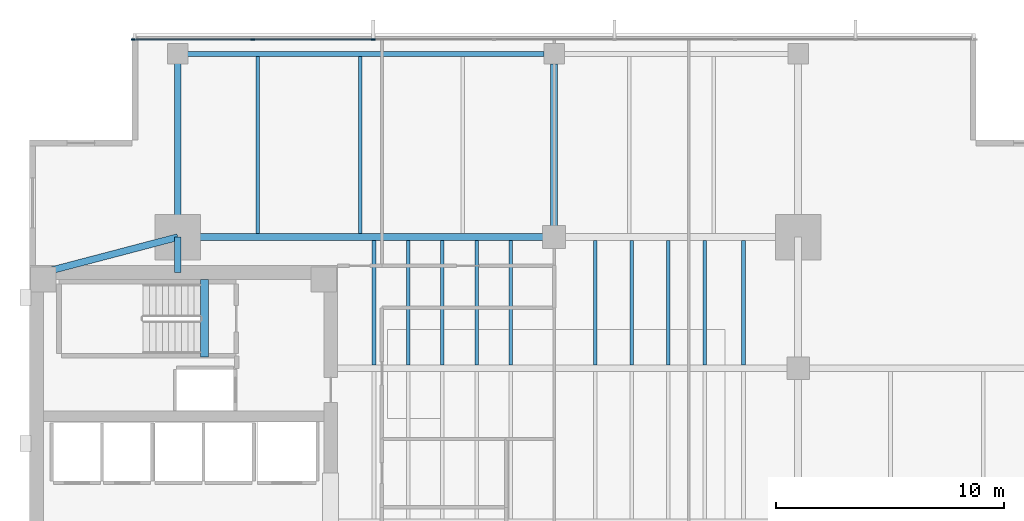
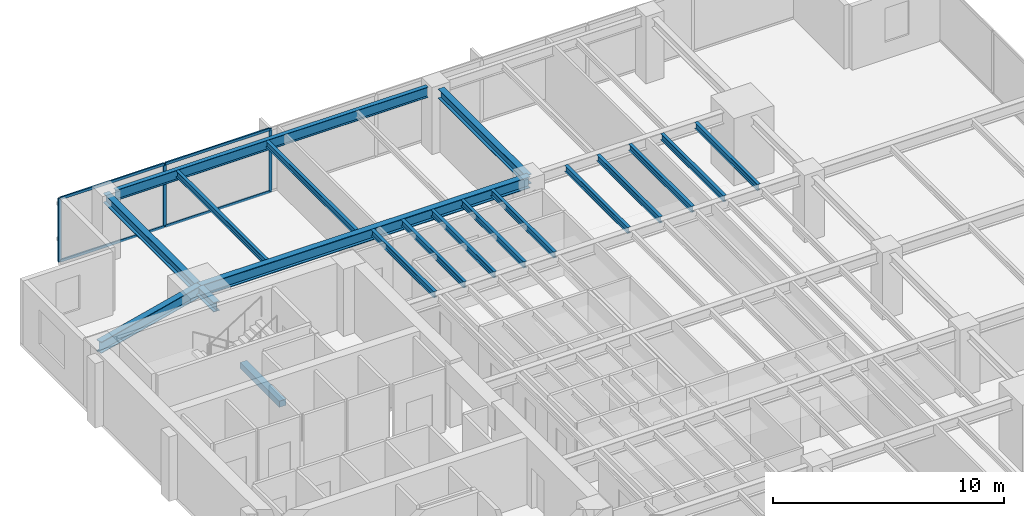
# One storey, part 5 of 14: 19 beams, 7 members, 1 element without a shape of its own.
"""IFC4 building model written with IfcOpenShell, lengths in metres."""

from ifc_helpers import new_model, si_unit, direction, frame, origin, origin_2d, place, context, subcontext, project, spatial, rectangle, i_section, extrude, material, layer, layer_set, material_profile, profile_set, type_object, element, aggregate, save


model = new_model("IFC4")

# Units and contexts
model_context = context("Model", 3, precision=1e-05, world=origin(), true_north=direction((0.0, 1.0)))
body_context = subcontext(model_context, "Body", "Model", "MODEL_VIEW")
ifc_project = project(units=[si_unit("LENGTHUNIT", "METRE"), si_unit("AREAUNIT", "SQUARE_METRE"), si_unit("VOLUMEUNIT", "CUBIC_METRE"), si_unit("PLANEANGLEUNIT", "RADIAN"), si_unit("MASSUNIT", "GRAM", prefix="KILO")], contexts=[model_context])

# Site, building, storey
site_placement = place(None, origin())
site = spatial("IfcSite", under=ifc_project, at=site_placement, CompositionType="ELEMENT")
building_placement = place(site_placement, origin())
building = spatial("IfcBuilding", under=site, at=building_placement, Name="Kinhvarn Gate Tower", CompositionType="ELEMENT")
storey_placement = place(building_placement, frame((0.0, 0.0, 141.300048828125)))
storey = spatial("IfcBuildingStorey", under=building, at=storey_placement, Name="L37", CompositionType="ELEMENT", Elevation=141.300048828125)

# Beam
ifc_material_1 = material(Name="Concrete C50/60", Category="concrete")
ifc_material_profile_1 = material_profile(ifc_material_1, rectangle(XDim=0.340087890625, YDim=0.320068359375, at=origin_2d()), Name="RC 340x320")
ifc_profile_set_1 = profile_set([ifc_material_profile_1], Name="Concrete C50/60")
beam_type_1 = type_object("IfcBeamType", Name="BM-LND-500", PredefinedType="BEAM", material=ifc_profile_set_1)
beam_1_placement = place(storey_placement, frame((12.1650390625, 32.5, -0.16015625), z_axis=(0.0, 1.0, 0.0), x_axis=(-1.0, 0.0, 0.0)))
element("IfcBeam", 1, at=beam_1_placement, inside=storey, type_object=beam_type_1, Name="Stair ST2 Landing Nosing Beam (L37)", PredefinedType="BEAM", context=body_context, shape_type="SweptSolid", body=[
    extrude(rectangle(XDim=0.340087890625, YDim=0.320068359375, at=origin_2d()), origin(), (0.0, 0.0, 1.0), 3.39990234375),
])

# Curtain wall, members
ifc_material_2 = material(Name="Anodised aluminium AW-6063", Category="aluminium")
ifc_layer = layer(ifc_material_2, 0.179931640625)
ifc_layer_set = layer_set([ifc_layer], Name="Anodised aluminium AW-6063")
curtain_wall_type = type_object("IfcCurtainWallType", Name="CW-SYS-3", PredefinedType="NOTDEFINED", material=ifc_layer_set)
curtain_wall_placement = place(storey_placement, origin())
curtain_wall = element("IfcCurtainWall", 2, at=curtain_wall_placement, inside=storey, type_object=curtain_wall_type, Name="Curtain Wall CW3 (L37)", PredefinedType="NOTDEFINED")
ifc_material_profile_2 = material_profile(ifc_material_2, rectangle(XDim=0.06494140625, YDim=0.159912109375, at=origin_2d()), Name="ALU 65x160")
ifc_profile_set_2 = profile_set([ifc_material_profile_2], Name="Anodised aluminium AW-6063")
member_type_1 = type_object("IfcMemberType", Name="CW-MUL-160", PredefinedType="MULLION", material=ifc_profile_set_2)
member_1_placement = place(storey_placement, frame((19.571533203125, 46.409912109375, 0.0), z_axis=(0.0, 0.0, 1.0), x_axis=(0.0, -1.0, 0.0)))
member_1 = element("IfcMember", 3, at=member_1_placement, type_object=member_type_1, Name="CW3 mullion 6", PredefinedType="MULLION", context=body_context, shape_type="SweptSolid", body=[
    extrude(rectangle(XDim=0.06494140625, YDim=0.159912109375, at=origin_2d()), origin(), (0.0, 0.0, 1.0), 3.369873046875),
])
member_2_placement = place(storey_placement, frame((14.28564453125, 46.409912109375, 0.0), z_axis=(0.0, 0.0, 1.0), x_axis=(0.0, -1.0, 0.0)))
member_2 = element("IfcMember", 4, at=member_2_placement, type_object=member_type_1, Name="CW3 mullion 7", PredefinedType="MULLION", context=body_context, shape_type="SweptSolid", body=[
    extrude(rectangle(XDim=0.06494140625, YDim=0.159912109375, at=origin_2d()), origin(), (0.0, 0.0, 1.0), 3.369873046875),
])
member_3_placement = place(storey_placement, frame((9.032470703125, 46.409912109375, 0.0), z_axis=(0.0, 0.0, 1.0), x_axis=(0.0, -1.0, 0.0)))
member_3 = element("IfcMember", 5, at=member_3_placement, type_object=member_type_1, Name="CW3 mullion 8", PredefinedType="MULLION", context=body_context, shape_type="SweptSolid", body=[
    extrude(rectangle(XDim=0.06494140625, YDim=0.159912109375, at=origin_2d()), origin(), (0.0, 0.0, 1.0), 3.369873046875),
])
ifc_material_profile_3 = material_profile(ifc_material_2, rectangle(XDim=0.070068359375, YDim=0.139892578125, at=origin_2d()), Name="ALU 70x140")
ifc_profile_set_3 = profile_set([ifc_material_profile_3], Name="Anodised aluminium AW-6063")
member_type_2 = type_object("IfcMemberType", Name="CW-TRN-140", PredefinedType="USERDEFINED", material=ifc_profile_set_3)
member_4_placement = place(storey_placement, frame((19.538818359375, 46.409912109375, 0.034912109375), z_axis=(-1.0, 0.0, 0.0), x_axis=(0.0, -1.0, 0.0)))
member_4 = element("IfcMember", 6, at=member_4_placement, type_object=member_type_2, Name="CW3 transom 6.1", ObjectType="TRANSOM", PredefinedType="USERDEFINED", context=body_context, shape_type="SweptSolid", body=[
    extrude(rectangle(XDim=0.070068359375, YDim=0.139892578125, at=origin_2d()), origin(), (0.0, 0.0, 1.0), 5.220703125),
])
member_5_placement = place(storey_placement, frame((19.538818359375, 46.409912109375, 3.3349609375), z_axis=(-1.0, 0.0, 0.0), x_axis=(0.0, -1.0, 0.0)))
member_5 = element("IfcMember", 7, at=member_5_placement, type_object=member_type_2, Name="CW3 transom 6.2", ObjectType="TRANSOM", PredefinedType="USERDEFINED", context=body_context, shape_type="SweptSolid", body=[
    extrude(rectangle(XDim=0.070068359375, YDim=0.139892578125, at=origin_2d()), origin(), (0.0, 0.0, 1.0), 5.220703125),
])
member_6_placement = place(storey_placement, frame((14.253173828125, 46.409912109375, 0.034912109375), z_axis=(-1.0, 0.0, 0.0), x_axis=(0.0, -1.0, 0.0)))
member_6 = element("IfcMember", 8, at=member_6_placement, type_object=member_type_2, Name="CW3 transom 7.1", ObjectType="TRANSOM", PredefinedType="USERDEFINED", context=body_context, shape_type="SweptSolid", body=[
    extrude(rectangle(XDim=0.070068359375, YDim=0.139892578125, at=origin_2d()), origin(), (0.0, 0.0, 1.0), 5.188232421875),
])
member_7_placement = place(storey_placement, frame((14.253173828125, 46.409912109375, 3.3349609375), z_axis=(-1.0, 0.0, 0.0), x_axis=(0.0, -1.0, 0.0)))
member_7 = element("IfcMember", 9, at=member_7_placement, type_object=member_type_2, Name="CW3 transom 7.2", ObjectType="TRANSOM", PredefinedType="USERDEFINED", context=body_context, shape_type="SweptSolid", body=[
    extrude(rectangle(XDim=0.070068359375, YDim=0.139892578125, at=origin_2d()), origin(), (0.0, 0.0, 1.0), 5.188232421875),
])
aggregate(curtain_wall, [member_1, member_2, member_3, member_4, member_5, member_6, member_7])

# Beams
ifc_material_3 = material(Name="Steel S355", Category="steel")
ifc_material_profile_4 = material_profile(ifc_material_3, i_section(OverallWidth=0.300048828125, OverallDepth=0.5, WebThickness=0.014404296875, FlangeThickness=0.028076171875, at=origin_2d()), Name="HEB 500")
ifc_profile_set_4 = profile_set([ifc_material_profile_4], Name="Steel S355")
beam_type_2 = type_object("IfcBeamType", Name="STL-HEB500", PredefinedType="BEAM", material=ifc_profile_set_4)
beam_2_placement = place(storey_placement, frame((11.0, 36.199951171875, 3.119873046875), z_axis=(0.0, 1.0, 0.0), x_axis=(-1.0, 0.0, 0.0)))
element("IfcBeam", 10, at=beam_2_placement, inside=storey, type_object=beam_type_2, Name="Floor Beam PG-14 (L37 MCW-CN)", PredefinedType="BEAM", context=body_context, shape_type="SweptSolid", body=[
    extrude(i_section(OverallWidth=0.300048828125, OverallDepth=0.5, WebThickness=0.014404296875, FlangeThickness=0.028076171875, at=origin_2d()), origin(), (0.0, 0.0, 1.0), 1.550048828125),
])
beam_3_placement = place(storey_placement, frame((11.0, 37.75, 3.119873046875), z_axis=(0.0, 1.0, 0.0), x_axis=(-1.0, 0.0, 0.0)))
element("IfcBeam", 11, at=beam_3_placement, inside=storey, type_object=beam_type_2, Name="Floor Beam PG-14 (L37 MCW-N)", PredefinedType="BEAM", context=body_context, shape_type="SweptSolid", body=[
    extrude(i_section(OverallWidth=0.300048828125, OverallDepth=0.5, WebThickness=0.014404296875, FlangeThickness=0.028076171875, at=origin_2d()), origin(), (0.0, 0.0, 1.0), 8.030029296875),
])
beam_4_placement = place(storey_placement, frame((27.5, 37.75, 3.119873046875), z_axis=(0.0, 1.0, 0.0), x_axis=(-1.0, 0.0, 0.0)))
element("IfcBeam", 12, at=beam_4_placement, inside=storey, type_object=beam_type_2, Name="Floor Beam PG-14 (L37 SP27-N-TIE)", PredefinedType="BEAM", context=body_context, shape_type="SweptSolid", body=[
    extrude(i_section(OverallWidth=0.300048828125, OverallDepth=0.5, WebThickness=0.014404296875, FlangeThickness=0.028076171875, at=origin_2d()), origin(), (0.0, 0.0, 1.0), 7.594970703125),
])
ifc_material_profile_5 = material_profile(ifc_material_3, i_section(OverallWidth=0.300048828125, OverallDepth=0.60009765625, WebThickness=0.015380859375, FlangeThickness=0.030029296875, at=origin_2d()), Name="HEB 600")
ifc_profile_set_5 = profile_set([ifc_material_profile_5], Name="Steel S355")
beam_type_3 = type_object("IfcBeamType", Name="STL-HEB600", PredefinedType="BEAM", material=ifc_profile_set_5)
beam_5_placement = place(storey_placement, frame((11.0, 37.75, 3.070068359375), z_axis=(1.0, 0.0, 0.0), x_axis=(0.0, 1.0, 0.0)))
element("IfcBeam", 13, at=beam_5_placement, inside=storey, type_object=beam_type_3, Name="Floor Beam PG-16 (L37 MG-N1)", PredefinedType="BEAM", context=body_context, shape_type="SweptSolid", body=[
    extrude(i_section(OverallWidth=0.300048828125, OverallDepth=0.60009765625, WebThickness=0.015380859375, FlangeThickness=0.030029296875, at=origin_2d()), origin(), (0.0, 0.0, 1.0), 16.5),
])
beam_6_placement = place(storey_placement, frame((5.10009765625, 36.199951171875, 3.070068359375), z_axis=(0.967177623957, 0.254101246979, 0.0), x_axis=(-0.254101246979, 0.967177623957, 0.0)))
element("IfcBeam", 14, at=beam_6_placement, inside=storey, type_object=beam_type_3, Name="Floor Beam PG-16 (L37 MG-NW-DIAG)", PredefinedType="BEAM", context=body_context, shape_type="SweptSolid", body=[
    extrude(i_section(OverallWidth=0.300048828125, OverallDepth=0.60009765625, WebThickness=0.015380859375, FlangeThickness=0.030029296875, at=origin_2d()), origin(), (0.0, 0.0, 1.0), 6.10009765625),
])
ifc_material_profile_6 = material_profile(ifc_material_3, i_section(OverallWidth=0.159912109375, OverallDepth=0.330078125, WebThickness=0.007568359375, FlangeThickness=0.011474609375, at=origin_2d()), Name="IPE 330")
ifc_profile_set_6 = profile_set([ifc_material_profile_6], Name="Steel S355")
beam_type_4 = type_object("IfcBeamType", Name="STL-IPE330", PredefinedType="JOIST", material=ifc_profile_set_6)
for number, where, z_axis, x_axis, name in (
    (15, (19.60009765625, 32.14990234375, 3.204833984375), (0.0, 1.0, 0.0), (-1.0, 0.0, 0.0), "Floor Joist SB-03 (L37 JC-X196-3)"),
    (16, (21.10009765625, 32.14990234375, 3.204833984375), (0.0, 1.0, 0.0), (-1.0, 0.0, 0.0), "Floor Joist SB-03 (L37 JC-X211-3)"),
    (17, (22.60009765625, 32.14990234375, 3.204833984375), (0.0, 1.0, 0.0), (-1.0, 0.0, 0.0), "Floor Joist SB-03 (L37 JC-X226-3)"),
    (18, (24.10009765625, 32.14990234375, 3.204833984375), (0.0, 1.0, 0.0), (-1.0, 0.0, 0.0), "Floor Joist SB-03 (L37 JC-X241-3)"),
    (19, (25.60009765625, 32.14990234375, 3.204833984375), (0.0, 1.0, 0.0), (-1.0, 0.0, 0.0), "Floor Joist SB-03 (L37 JC-X256-3)"),
    (20, (29.300048828125, 32.14990234375, 3.204833984375), (0.0, 1.0, 0.0), (-1.0, 0.0, 0.0), "Floor Joist SB-03 (L37 JC-X293-3)"),
    (21, (30.89990234375, 32.14990234375, 3.204833984375), (0.0, 1.0, 0.0), (-1.0, 0.0, 0.0), "Floor Joist SB-03 (L37 JC-X309-3)"),
    (22, (32.5, 32.14990234375, 3.204833984375), (0.0, 1.0, 0.0), (-1.0, 0.0, 0.0), "Floor Joist SB-03 (L37 JC-X325-3)"),
    (23, (34.10009765625, 32.14990234375, 3.204833984375), (0.0, 1.0, 0.0), (-1.0, 0.0, 0.0), "Floor Joist SB-03 (L37 JC-X341-3)"),
    (24, (35.800048828125, 32.14990234375, 3.204833984375), (0.0, 1.0, 0.0), (-1.0, 0.0, 0.0), "Floor Joist SB-03 (L37 JC-X358-3)"),
):
    element("IfcBeam", number, at=place(storey_placement, frame(where, z_axis=z_axis, x_axis=x_axis)), inside=storey, type_object=beam_type_4, Name=name, PredefinedType="JOIST", context=body_context, shape_type="SweptSolid", body=[
        extrude(i_section(OverallWidth=0.159912109375, OverallDepth=0.330078125, WebThickness=0.007568359375, FlangeThickness=0.011474609375, at=origin_2d()), origin(), (0.0, 0.0, 1.0), 5.4501953125),
    ])
for number, where, z_axis, x_axis, name in (
    (25, (14.5, 37.89990234375, 3.204833984375), (0.0, 1.0, 0.0), (-1.0, 0.0, 0.0), "Floor Joist SB-03 (L37 JN-X145)"),
    (26, (19.0, 37.89990234375, 3.204833984375), (0.0, 1.0, 0.0), (-1.0, 0.0, 0.0), "Floor Joist SB-03 (L37 JN-X190)"),
):
    element("IfcBeam", number, at=place(storey_placement, frame(where, z_axis=z_axis, x_axis=x_axis)), inside=storey, type_object=beam_type_4, Name=name, PredefinedType="JOIST", context=body_context, shape_type="SweptSolid", body=[
        extrude(i_section(OverallWidth=0.159912109375, OverallDepth=0.330078125, WebThickness=0.007568359375, FlangeThickness=0.011474609375, at=origin_2d()), origin(), (0.0, 0.0, 1.0), 7.775146484375),
    ])
ifc_material_profile_7 = material_profile(ifc_material_3, i_section(OverallWidth=0.2099609375, OverallDepth=0.550048828125, WebThickness=0.010986328125, FlangeThickness=0.01708984375, at=origin_2d()), Name="IPE 550")
ifc_profile_set_7 = profile_set([ifc_material_profile_7], Name="Steel S355")
beam_type_5 = type_object("IfcBeamType", Name="STL-IPE550", PredefinedType="SPANDREL", material=ifc_profile_set_7)
beam_7_placement = place(storey_placement, frame((11.43505859375, 45.780029296875, 3.094970703125), z_axis=(1.0, 0.0, 0.0), x_axis=(0.0, 1.0, 0.0)))
element("IfcBeam", 27, at=beam_7_placement, inside=storey, type_object=beam_type_5, Name="Floor Spandrel SB-08 (L37 SP-N1)", PredefinedType="SPANDREL", context=body_context, shape_type="SweptSolid", body=[
    extrude(i_section(OverallWidth=0.2099609375, OverallDepth=0.550048828125, WebThickness=0.010986328125, FlangeThickness=0.01708984375, at=origin_2d()), origin(), (0.0, 0.0, 1.0), 15.6298828125),
])

save(model, "model.ifc")
